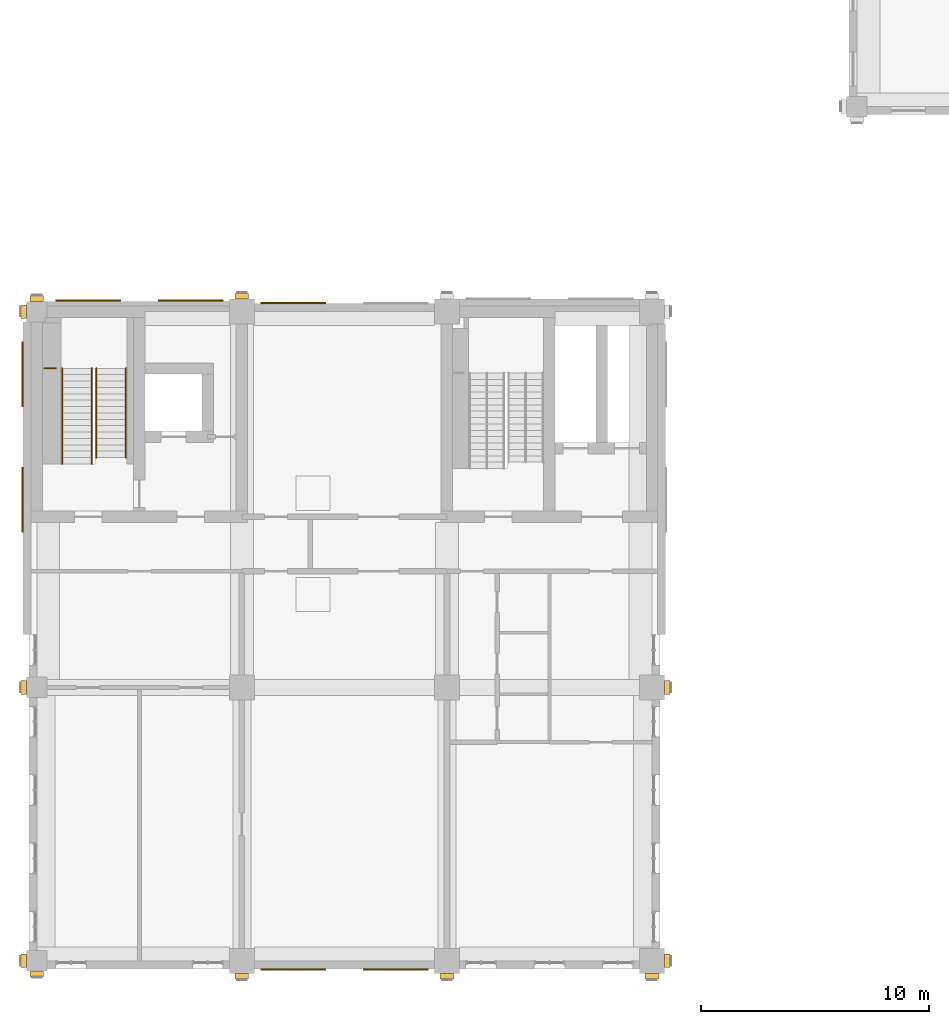
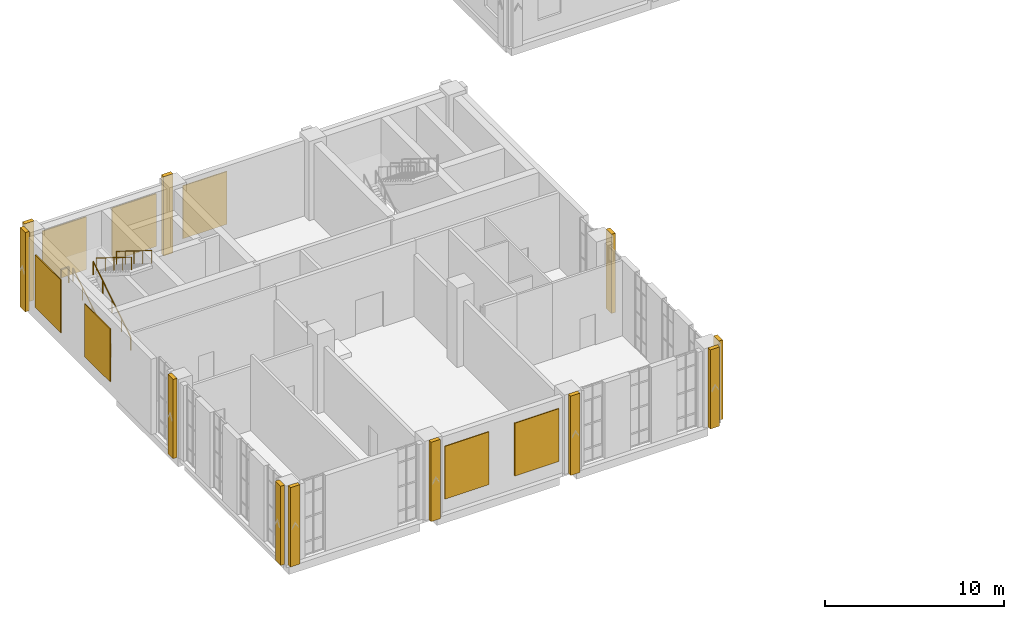
# One storey, part 20 of 25: 18 coverings, 5 railings.
"""IFC4 building model written with IfcOpenShell, lengths in metres."""

from ifc_helpers import new_model, si_unit, direction, frame, origin, origin_2d, place, context, subcontext, project, spatial, rectangle, circle, extrude, material, layer, layer_set, type_object, element, save


model = new_model("IFC4")

# Units and contexts
model_context = context("Model", 3, precision=1e-05, world=origin(), true_north=direction((0.0, 1.0)))
body_context = subcontext(model_context, "Body", "Model", "MODEL_VIEW")
ifc_project = project(units=[si_unit("LENGTHUNIT", "METRE"), si_unit("AREAUNIT", "SQUARE_METRE"), si_unit("VOLUMEUNIT", "CUBIC_METRE"), si_unit("PLANEANGLEUNIT", "RADIAN"), si_unit("MASSUNIT", "GRAM", prefix="KILO")], contexts=[model_context])

# Site, building, storey
site_placement = place(None, origin())
site = spatial("IfcSite", under=ifc_project, at=site_placement, CompositionType="ELEMENT")
building_placement = place(site_placement, origin())
building = spatial("IfcBuilding", under=site, at=building_placement, Name="Aurelan Courthouse", CompositionType="ELEMENT")
storey_placement = place(building_placement, frame((0.0, 0.0, 33.60009765625)))
storey = spatial("IfcBuildingStorey", under=building, at=storey_placement, Name="L06", CompositionType="ELEMENT", Elevation=33.60009765625)

# Coverings
ifc_material_1 = material(Name="Bronze sheet cladding")
ifc_layer = layer(ifc_material_1, 0.06005859375)
ifc_layer_set = layer_set([ifc_layer], Name="Bronze sheet cladding")
covering_type_1 = type_object("IfcCoveringType", Name="Courts' Floors blind bay 2850 x 3600", PredefinedType="CLADDING", material=ifc_layer_set)
for number, where, z_axis, x_axis, name in (
    (1, (11.25, -0.3798828125, 0.89990234375), (0.0, 0.0, 1.0), (1.0, 0.0, 0.0), "Blind bay BB-V5-L06-001"),
    (2, (15.75, -0.3798828125, 0.89990234375), (0.0, 0.0, 1.0), (1.0, 0.0, 0.0), "Blind bay BB-V5-L06-002"),
    (3, (2.25, 28.97998046875, 0.89990234375), (0.0, 0.0, 1.0), (1.0, 0.0, 0.0), "Blind bay BB-V5-L06-003"),
    (4, (6.75, 28.97998046875, 0.89990234375), (0.0, 0.0, 1.0), (1.0, 0.0, 0.0), "Blind bay BB-V5-L06-004"),
    (5, (11.25, 28.8798828125, 0.89990234375), (0.0, 0.0, 1.0), (1.0, 0.0, 0.0), "Blind bay BB-V5-L06-005"),
):
    element("IfcCovering", number, at=place(storey_placement, frame(where, z_axis=z_axis, x_axis=x_axis)), inside=storey, type_object=covering_type_1, Name=name, PredefinedType="CLADDING", context=body_context, shape_type="SweptSolid", body=[
        extrude(rectangle(XDim=2.85009765625, YDim=0.06005859375, at=origin_2d()), origin(), (0.0, 0.0, 1.0), 3.60009765625),
    ])
for number, where, z_axis, x_axis, name in (
    (6, (-0.6298828125, 20.25, 0.89990234375), (0.0, 0.0, 1.0), (1.0, 0.0, 0.0), "Blind bay BB-V5-L06-011"),
    (7, (-0.6298828125, 25.75, 0.89990234375), (0.0, 0.0, 1.0), (1.0, 0.0, 0.0), "Blind bay BB-V5-L06-012"),
):
    element("IfcCovering", number, at=place(storey_placement, frame(where, z_axis=z_axis, x_axis=x_axis)), inside=storey, type_object=covering_type_1, Name=name, PredefinedType="CLADDING", context=body_context, shape_type="SweptSolid", body=[
        extrude(rectangle(XDim=0.06005859375, YDim=2.85009765625, at=origin_2d()), origin(), (0.0, 0.0, 1.0), 3.60009765625),
    ])
ifc_material_2 = material(Name="Limestone cladding", Category="masonry")
covering_type_2 = type_object("IfcCoveringType", Name="Courts' Floors pilaster fin 600 x 250", PredefinedType="CLADDING", material=ifc_material_2)
for number, where, z_axis, x_axis, name in (
    (8, (0.0, -0.574951171875, 0.0), (0.0, 0.0, 1.0), (1.0, 0.0, 0.0), "Pilaster fin FN-V5-057"),
    (9, (9.0, -0.675048828125, 0.0), (0.0, 0.0, 1.0), (1.0, 0.0, 0.0), "Pilaster fin FN-V5-058"),
    (10, (18.0, -0.675048828125, 0.0), (0.0, 0.0, 1.0), (1.0, 0.0, 0.0), "Pilaster fin FN-V5-059"),
    (11, (27.0, -0.675048828125, 0.0), (0.0, 0.0, 1.0), (1.0, 0.0, 0.0), "Pilaster fin FN-V5-060"),
    (12, (0.0, 29.074951171875, 0.0), (0.0, 0.0, 1.0), (1.0, 0.0, 0.0), "Pilaster fin FN-V5-061"),
    (13, (9.0, 29.175048828125, 0.0), (0.0, 0.0, 1.0), (1.0, 0.0, 0.0), "Pilaster fin FN-V5-062"),
):
    element("IfcCovering", number, at=place(storey_placement, frame(where, z_axis=z_axis, x_axis=x_axis)), inside=storey, type_object=covering_type_2, Name=name, PredefinedType="CLADDING", context=body_context, shape_type="SweptSolid", body=[
        extrude(rectangle(XDim=0.60009765625, YDim=0.25, at=origin_2d()), origin(), (0.0, 0.0, 1.0), 5.39990234375),
    ])
for number, where, z_axis, x_axis, name in (
    (14, (27.675048828125, 0.0, 0.0), (0.0, 0.0, 1.0), (1.0, 0.0, 0.0), "Pilaster fin FN-V5-065"),
    (15, (27.675048828125, 12.0, 0.0), (0.0, 0.0, 1.0), (1.0, 0.0, 0.0), "Pilaster fin FN-V5-066"),
    (16, (-0.574951171875, 0.0, 0.0), (0.0, 0.0, 1.0), (1.0, 0.0, 0.0), "Pilaster fin FN-V5-068"),
    (17, (-0.574951171875, 12.0, 0.0), (0.0, 0.0, 1.0), (1.0, 0.0, 0.0), "Pilaster fin FN-V5-069"),
    (18, (-0.574951171875, 28.5, 0.0), (0.0, 0.0, 1.0), (1.0, 0.0, 0.0), "Pilaster fin FN-V5-070"),
):
    element("IfcCovering", number, at=place(storey_placement, frame(where, z_axis=z_axis, x_axis=x_axis)), inside=storey, type_object=covering_type_2, Name=name, PredefinedType="CLADDING", context=body_context, shape_type="SweptSolid", body=[
        extrude(rectangle(XDim=0.25, YDim=0.60009765625, at=origin_2d()), origin(), (0.0, 0.0, 1.0), 5.39990234375),
    ])

# Railings
ifc_material_3 = material(Name="Steel S355", Category="steel")
railing_type_1 = type_object("IfcRailingType", Name="Stair guard 1100", PredefinedType="GUARDRAIL", material=ifc_material_3)
railing_placement = place(storey_placement, frame((0.830078125, 26.010009765625, 2.787109375)))
element("IfcRailing", 19, at=railing_placement, inside=storey, type_object=railing_type_1, Name="Guard ST-5B-L06-GL1", PredefinedType="GUARDRAIL", context=body_context, shape_type="SweptSolid", body=[
    extrude(circle(Radius=0.02392578125, at=origin_2d()), frame((0.0, 0.0, 1.076171875), z_axis=(-1.0, 0.0, 0.0), x_axis=(0.0, -1.0, 0.0)), (0.0, 0.0, 1.0), 0.5),
    extrude(circle(Radius=0.02099609375, at=origin_2d()), origin(), (0.0, 0.0, 1.0), 1.052001953125),
    extrude(circle(Radius=0.02099609375, at=origin_2d()), frame((-0.5, 0.0, 0.0)), (0.0, 0.0, 1.0), 1.052001953125),
])
railing_type_2 = type_object("IfcRailingType", Name="Stair handrail 900", PredefinedType="HANDRAIL", material=ifc_material_3)
for number, where, name in (
    (20, (1.110107421875, 21.81005859375, 0.174072265625), "Handrail ST-5B-L06-H1"),
    (21, (2.409912109375, 21.81005859375, 0.174072265625), "Handrail ST-5B-L06-H2"),
):
    element("IfcRailing", number, at=place(storey_placement, frame(where)), inside=storey, type_object=railing_type_2, Name=name, PredefinedType="HANDRAIL", context=body_context, shape_type="SweptSolid", body=[
        extrude(circle(Radius=0.02392578125, at=origin_2d()), frame((0.0, 0.0, 0.8759765625), z_axis=(0.0, 0.849080710111, 0.528263142494), x_axis=(-1.0, 0.0, 0.0)), (0.0, 0.0, 1.0), 4.946533203125),
        extrude(circle(Radius=0.02099609375, at=origin_2d()), origin(), (0.0, 0.0, 1.0), 0.851806640625),
        extrude(circle(Radius=0.02099609375, at=origin_2d()), frame((0.0, 1.050048828125, 0.6533203125)), (0.0, 0.0, 1.0), 0.851806640625),
        extrude(circle(Radius=0.02099609375, at=origin_2d()), frame((0.0, 2.10009765625, 1.306640625)), (0.0, 0.0, 1.0), 0.851806640625),
        extrude(circle(Radius=0.02099609375, at=origin_2d()), frame((0.0, 3.14990234375, 1.959716796875)), (0.0, 0.0, 1.0), 0.851806640625),
        extrude(circle(Radius=0.02099609375, at=origin_2d()), frame((0.0, 4.199951171875, 2.613037109375)), (0.0, 0.0, 1.0), 0.851806640625),
    ])
for number, where, name in (
    (22, (2.610107421875, 26.010009765625, 2.961181640625), "Handrail ST-5B-L06-H3"),
    (23, (3.909912109375, 26.010009765625, 2.961181640625), "Handrail ST-5B-L06-H4"),
):
    element("IfcRailing", number, at=place(storey_placement, frame(where)), inside=storey, type_object=railing_type_2, Name=name, PredefinedType="HANDRAIL", context=body_context, shape_type="SweptSolid", body=[
        extrude(circle(Radius=0.02392578125, at=origin_2d()), frame((0.0, 0.0, 0.8759765625), z_axis=(0.0, -0.849089811655, 0.528248513243), x_axis=(1.0, 0.0, 0.0)), (0.0, 0.0, 1.0), 4.61669921875),
        extrude(circle(Radius=0.02099609375, at=origin_2d()), origin(), (0.0, 0.0, 1.0), 0.851806640625),
        extrude(circle(Radius=0.02099609375, at=origin_2d()), frame((0.0, -0.97998046875, 0.609619140625)), (0.0, 0.0, 1.0), 0.851806640625),
        extrude(circle(Radius=0.02099609375, at=origin_2d()), frame((0.0, -1.9599609375, 1.21923828125)), (0.0, 0.0, 1.0), 0.851806640625),
        extrude(circle(Radius=0.02099609375, at=origin_2d()), frame((0.0, -2.93994140625, 1.8291015625)), (0.0, 0.0, 1.0), 0.851806640625),
        extrude(circle(Radius=0.02099609375, at=origin_2d()), frame((0.0, -3.919921875, 2.438720703125)), (0.0, 0.0, 1.0), 0.851806640625),
    ])

save(model, "model.ifc")
